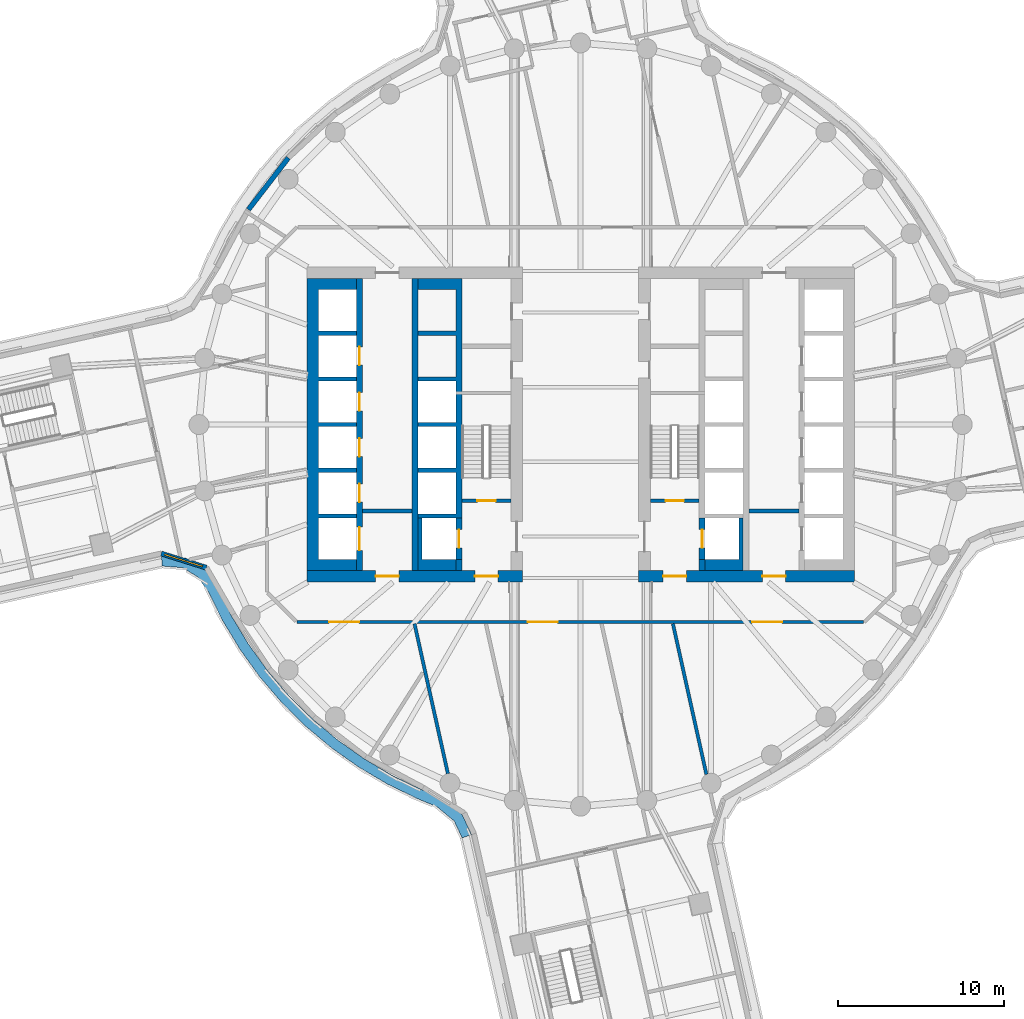
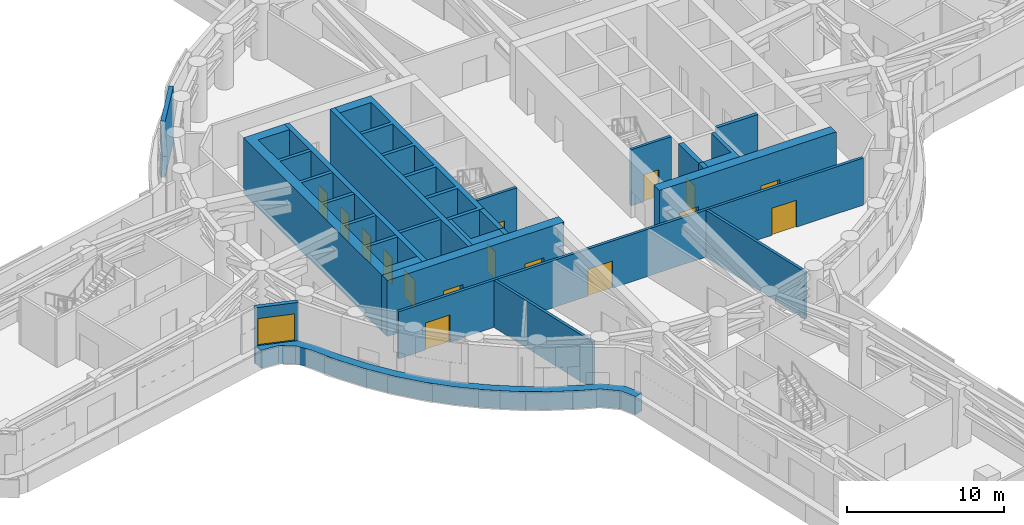
# One storey, part 9 of 22: 21 walls, 16 doors, 1 member, 1 window, 17 openings.
"""IFC4 building model written with IfcOpenShell, lengths in metres."""

from ifc_helpers import new_model, si_unit, direction, frame, frame_2d, origin, place, context, subcontext, project, spatial, polyline, rectangle, outline, extrude, material, layer, layer_set, type_object, element, fill, aggregate, save


model = new_model("IFC4")

# Units and contexts
model_context = context("Model", 3, precision=1e-05, world=origin(), true_north=direction((0.0, 1.0)))
body_context = subcontext(model_context, "Body", "Model", "MODEL_VIEW")
ifc_project = project(units=[si_unit("LENGTHUNIT", "METRE"), si_unit("AREAUNIT", "SQUARE_METRE"), si_unit("VOLUMEUNIT", "CUBIC_METRE"), si_unit("PLANEANGLEUNIT", "RADIAN"), si_unit("MASSUNIT", "GRAM", prefix="KILO")], contexts=[model_context])

# Member
ifc_material_1 = material(Name="Aluminium and insulated spandrel panel", Category="aluminium")
member_type = type_object("IfcMemberType", Name="Floor-edge blade transom", PredefinedType="USERDEFINED", material=ifc_material_1)
site_placement = place(None, origin())
building_placement = place(site_placement, origin())
storey_placement = place(building_placement, frame((0.0, 0.0, 79.0)))
member_placement = place(storey_placement, origin())
member = element("IfcMember", 1, at=member_placement, type_object=member_type, Name="CWT-L18-02", ObjectType="TRANSOM", PredefinedType="USERDEFINED", context=body_context, shape_type="SweptSolid", body=[
    extrude(outline(polyline([(-25.2578125, -7.92236328125), (-23.802978515625, -8.03955078125), (-22.65380859375, -8.73681640625), (-21.902587890625, -9.796142578125), (-21.054443359375, -11.511474609375), (-20.031982421875, -13.2109375), (-18.87255859375, -14.820068359375), (-17.584228515625, -16.327880859375), (-16.17578125, -17.72412109375), (-14.656982421875, -18.99951171875), (-13.0380859375, -20.14501953125), (-11.329833984375, -21.15283203125), (-9.54443359375, -22.01611328125), (-8.33203125, -22.52099609375), (-7.135009765625, -23.512451171875), (-6.567626953125, -24.71337890625), (-7.138671875, -24.9091796875), (-7.62060546875, -23.889404296875), (-8.645751953125, -23.04052734375), (-9.79052734375, -22.5634765625), (-11.613525390625, -21.68212890625), (-13.3642578125, -20.64892578125), (-15.023681640625, -19.474853515625), (-16.580810546875, -18.167724609375), (-18.0244140625, -16.736572265625), (-19.344970703125, -15.19091796875), (-20.533203125, -13.54150390625), (-21.581298828125, -11.799560546875), (-22.41943359375, -10.1044921875), (-23.0712890625, -9.185302734375), (-23.992919921875, -8.626220703125), (-25.21630859375, -8.527587890625), (-25.2578125, -7.92236328125)])), origin(), (0.0, 0.0, 1.0), 1.39990234375),
])

# Site, building, storey
site = spatial("IfcSite", under=ifc_project, at=site_placement, CompositionType="ELEMENT")
building = spatial("IfcBuilding", under=site, at=building_placement, Name="Tamarind Cross Interchange Tower", CompositionType="ELEMENT")
storey = spatial("IfcBuildingStorey", under=building, at=storey_placement, Name="L18", CompositionType="ELEMENT", Elevation=79.0)

# Wall, openings, doors
ifc_material_2 = material(Name="Concrete C80", Category="concrete")
ifc_layer_1 = layer(ifc_material_2, 0.699951171875)
ifc_layer_set_1 = layer_set([ifc_layer_1], Name="Concrete C80")
wall_type_1 = type_object("IfcWallType", Name="Core wall 700 mm Concrete C80", PredefinedType="SHEAR", material=ifc_layer_set_1)
wall_1_placement = place(storey_placement, frame((-16.5, -9.14990234375, 0.0), z_axis=(0.0, 0.0, 1.0), x_axis=(1.0, 0.0, 0.0)))
wall_1 = element("IfcWall", 2, at=wall_1_placement, inside=storey, type_object=wall_type_1, Name="Core wall CWL-L18-W-S", PredefinedType="SHEAR", context=body_context, shape_type="SweptSolid", body=[
    extrude(rectangle(XDim=13.0, YDim=0.699951171875, at=frame_2d((6.5, 0.0))), origin(), (0.0, 0.0, 1.0), 4.360107421875),
])
opening_1_placement = place(wall_1_placement, frame((4.14990234375, 0.0, 0.0)))
opening_1 = element("IfcOpeningElement", 3, at=opening_1_placement, cuts=wall_1, Name="Opening DCW1", PredefinedType="OPENING", context=body_context, shape_type="SweptSolid", body=[
    extrude(rectangle(XDim=1.39990234375, YDim=2.10009765625, at=frame_2d((0.699951171875, 1.050048828125))), frame((0.0, 0.35986328125, 0.0), z_axis=(0.0, -1.0, 0.0), x_axis=(1.0, 0.0, 0.0)), (0.0, 0.0, 1.0), 0.719970703125),
])
opening_2_placement = place(wall_1_placement, frame((10.125, 0.0, 0.0)))
opening_2 = element("IfcOpeningElement", 4, at=opening_2_placement, cuts=wall_1, Name="Opening DCWF", PredefinedType="OPENING", context=body_context, shape_type="SweptSolid", body=[
    extrude(rectangle(XDim=1.39990234375, YDim=2.10009765625, at=frame_2d((0.699951171875, 1.050048828125))), frame((0.0, 0.35986328125, 0.0), z_axis=(0.0, -1.0, 0.0), x_axis=(1.0, 0.0, 0.0)), (0.0, 0.0, 1.0), 0.719970703125),
])
ifc_material_3 = material(Name="Steel, fire-resisting", Category="steel")
door_type_1 = type_object("IfcDoorType", Name="Core fire door 1400 x 2100 FD90", OperationType="SINGLE_SWING_LEFT", PredefinedType="DOOR", material=ifc_material_3)
door_1_placement = place(opening_1_placement, origin())
door_1 = element("IfcDoor", 5, at=door_1_placement, inside=storey, type_object=door_type_1, Name="L18 lift lobby door", OperationType="SINGLE_SWING_LEFT", OverallHeight=2.10009765625, OverallWidth=1.39990234375, PredefinedType="DOOR", context=body_context, shape_type="SweptSolid", body=[
    extrude(rectangle(XDim=1.39990234375, YDim=2.10009765625, at=frame_2d((0.699951171875, 1.050048828125))), frame((0.0, 0.02490234375, 0.0), z_axis=(0.0, -1.0, 0.0), x_axis=(1.0, 0.0, 0.0)), (0.0, 0.0, 1.0), 0.050048828125),
])
fill(opening_1, door_1)
door_2_placement = place(opening_2_placement, origin())
door_2 = element("IfcDoor", 6, at=door_2_placement, inside=storey, type_object=door_type_1, Name="L18 firefighting lobby end door", OperationType="SINGLE_SWING_LEFT", OverallHeight=2.10009765625, OverallWidth=1.39990234375, PredefinedType="DOOR", context=body_context, shape_type="SweptSolid", body=[
    extrude(rectangle(XDim=1.39990234375, YDim=2.10009765625, at=frame_2d((0.699951171875, 1.050048828125))), frame((0.0, 0.02490234375, 0.0), z_axis=(0.0, -1.0, 0.0), x_axis=(1.0, 0.0, 0.0)), (0.0, 0.0, 1.0), 0.050048828125),
])
fill(opening_2, door_2)

# Wall
wall_2_placement = place(storey_placement, origin())
element("IfcWall", 7, at=wall_2_placement, inside=storey, type_object=wall_type_1, Name="Core wall CWL-L18-W-A", PredefinedType="SHEAR", context=body_context, shape_type="SweptSolid", body=[
    extrude(outline(polyline([(-13.5, -8.800048828125), (-13.5, -8.125), (-15.800048828125, -8.125), (-15.800048828125, -5.625), (-13.5, -5.625), (-13.5, -5.375), (-15.800048828125, -5.375), (-15.800048828125, -2.875), (-13.5, -2.875), (-13.5, -2.625), (-15.800048828125, -2.625), (-15.800048828125, -0.125), (-13.5, -0.125), (-13.5, 0.125), (-15.800048828125, 0.125), (-15.800048828125, 2.625), (-13.5, 2.625), (-13.5, 2.875), (-15.800048828125, 2.875), (-15.800048828125, 5.375), (-13.5, 5.375), (-13.5, 5.625), (-15.800048828125, 5.625), (-15.800048828125, 8.125), (-13.5, 8.125), (-13.5, 8.800048828125), (-15.800048828125, 8.800048828125), (-16.5, 8.800048828125), (-16.5, -8.800048828125), (-15.800048828125, -8.800048828125), (-13.5, -8.800048828125)])), origin(), (0.0, 0.0, 1.0), 4.360107421875),
])

# Wall, openings, doors
wall_3_placement = place(storey_placement, frame((16.5, -9.14990234375, 0.0), z_axis=(0.0, 0.0, 1.0), x_axis=(-1.0, 0.0, 0.0)))
wall_3 = element("IfcWall", 8, at=wall_3_placement, inside=storey, type_object=wall_type_1, Name="Core wall CWL-L18-E-S", PredefinedType="SHEAR", context=body_context, shape_type="SweptSolid", body=[
    extrude(rectangle(XDim=13.0, YDim=0.699951171875, at=frame_2d((6.5, 0.0))), origin(), (0.0, 0.0, 1.0), 4.360107421875),
])
opening_3_placement = place(wall_3_placement, frame((4.14990234375, 0.0, 0.0)))
opening_3 = element("IfcOpeningElement", 9, at=opening_3_placement, cuts=wall_3, Name="Opening DCE1", PredefinedType="OPENING", context=body_context, shape_type="SweptSolid", body=[
    extrude(rectangle(XDim=1.39990234375, YDim=2.10009765625, at=frame_2d((0.699951171875, 1.050048828125))), frame((0.0, 0.35986328125, 0.0), z_axis=(0.0, -1.0, 0.0), x_axis=(1.0, 0.0, 0.0)), (0.0, 0.0, 1.0), 0.719970703125),
])
opening_4_placement = place(wall_3_placement, frame((10.125, 0.0, 0.0)))
opening_4 = element("IfcOpeningElement", 10, at=opening_4_placement, cuts=wall_3, Name="Opening DCEF", PredefinedType="OPENING", context=body_context, shape_type="SweptSolid", body=[
    extrude(rectangle(XDim=1.39990234375, YDim=2.10009765625, at=frame_2d((0.699951171875, 1.050048828125))), frame((0.0, 0.35986328125, 0.0), z_axis=(0.0, -1.0, 0.0), x_axis=(1.0, 0.0, 0.0)), (0.0, 0.0, 1.0), 0.719970703125),
])
door_3_placement = place(opening_3_placement, origin())
door_3 = element("IfcDoor", 11, at=door_3_placement, inside=storey, type_object=door_type_1, Name="L18 lift lobby door", OperationType="SINGLE_SWING_LEFT", OverallHeight=2.10009765625, OverallWidth=1.39990234375, PredefinedType="DOOR", context=body_context, shape_type="SweptSolid", body=[
    extrude(rectangle(XDim=1.39990234375, YDim=2.10009765625, at=frame_2d((0.699951171875, 1.050048828125))), frame((0.0, 0.02490234375, 0.0), z_axis=(0.0, -1.0, 0.0), x_axis=(1.0, 0.0, 0.0)), (0.0, 0.0, 1.0), 0.050048828125),
])
fill(opening_3, door_3)
door_4_placement = place(opening_4_placement, origin())
door_4 = element("IfcDoor", 12, at=door_4_placement, inside=storey, type_object=door_type_1, Name="L18 firefighting lobby end door", OperationType="SINGLE_SWING_LEFT", OverallHeight=2.10009765625, OverallWidth=1.39990234375, PredefinedType="DOOR", context=body_context, shape_type="SweptSolid", body=[
    extrude(rectangle(XDim=1.39990234375, YDim=2.10009765625, at=frame_2d((0.699951171875, 1.050048828125))), frame((0.0, 0.02490234375, 0.0), z_axis=(0.0, -1.0, 0.0), x_axis=(1.0, 0.0, 0.0)), (0.0, 0.0, 1.0), 0.050048828125),
])
fill(opening_4, door_4)

# Walls
ifc_layer_2 = layer(ifc_material_2, 0.35009765625)
ifc_layer_set_2 = layer_set([ifc_layer_2], Name="Concrete C80")
wall_type_2 = type_object("IfcWallType", Name="Core web wall 350 mm Concrete C80", PredefinedType="SHEAR", material=ifc_layer_set_2)
wall_4_placement = place(storey_placement, origin())
element("IfcWall", 13, at=wall_4_placement, inside=storey, type_object=wall_type_2, Name="Core wall CWL-L18-W-BN", PredefinedType="SHEAR", context=body_context, shape_type="SweptSolid", body=[
    extrude(outline(polyline([(-9.800048828125, -5.375), (-9.800048828125, -5.625), (-7.5, -5.625), (-7.14990234375, -5.625), (-7.14990234375, 8.800048828125), (-7.5, 8.800048828125), (-9.800048828125, 8.800048828125), (-9.800048828125, 8.125), (-7.5, 8.125), (-7.5, 5.625), (-9.800048828125, 5.625), (-9.800048828125, 5.375), (-7.5, 5.375), (-7.5, 2.875), (-9.800048828125, 2.875), (-9.800048828125, 2.625), (-7.5, 2.625), (-7.5, 0.125), (-9.800048828125, 0.125), (-9.800048828125, -0.125), (-7.5, -0.125), (-7.5, -2.625), (-9.800048828125, -2.625), (-9.800048828125, -2.875), (-7.5, -2.875), (-7.5, -5.375), (-9.800048828125, -5.375)])), origin(), (0.0, 0.0, 1.0), 4.360107421875),
])
wall_5_placement = place(storey_placement, origin())
element("IfcWall", 14, at=wall_5_placement, inside=storey, type_object=wall_type_2, Name="Core wall CWL-L18-W-BS", PredefinedType="SHEAR", context=body_context, shape_type="SweptSolid", body=[
    extrude(outline(polyline([(-7.5, -8.125), (-9.550048828125, -8.125), (-9.550048828125, -5.625), (-9.800048828125, -5.625), (-9.800048828125, -8.125), (-9.800048828125, -8.800048828125), (-7.5, -8.800048828125), (-7.5, -8.125)])), origin(), (0.0, 0.0, 1.0), 4.360107421875),
])
wall_6_placement = place(storey_placement, frame((-7.324951171875, -8.800048828125, 0.0), z_axis=(0.0, 0.0, 1.0), x_axis=(0.0, 1.0, 0.0)))
element("IfcWall", 15, at=wall_6_placement, inside=storey, type_object=wall_type_2, Name="Core wall CWL-L18-W-BW", PredefinedType="SHEAR", context=body_context, shape_type="SweptSolid", body=[
    extrude(rectangle(XDim=0.675048828125, YDim=0.35009765625, at=frame_2d((0.33740234375, 0.0))), origin(), (0.0, 0.0, 1.0), 4.360107421875),
])

# Wall, openings, doors
wall_7_placement = place(storey_placement, frame((-13.324951171875, -8.800048828125, 0.0), z_axis=(0.0, 0.0, 1.0), x_axis=(0.0, 1.0, 0.0)))
wall_7 = element("IfcWall", 16, at=wall_7_placement, inside=storey, type_object=wall_type_2, Name="Core wall CWL-L18-W-LA", PredefinedType="SHEAR", context=body_context, shape_type="SweptSolid", body=[
    extrude(rectangle(XDim=17.60009765625, YDim=0.35009765625, at=frame_2d((8.800048828125, 0.0))), origin(), (0.0, 0.0, 1.0), 4.360107421875),
])
opening_5_placement = place(wall_7_placement, frame((1.22509765625, 0.0, 0.0)))
opening_5 = element("IfcOpeningElement", 17, at=opening_5_placement, cuts=wall_7, Name="Opening LD1L18", PredefinedType="OPENING", context=body_context, shape_type="SweptSolid", body=[
    extrude(rectangle(XDim=1.39990234375, YDim=2.10009765625, at=frame_2d((0.699951171875, 1.050048828125))), frame((0.0, 0.18505859375, 0.0), z_axis=(0.0, -1.0, 0.0), x_axis=(1.0, 0.0, 0.0)), (0.0, 0.0, 1.0), 0.3701171875),
])
opening_6_placement = place(wall_7_placement, frame((4.125, 0.0, 0.0)))
opening_6 = element("IfcOpeningElement", 18, at=opening_6_placement, cuts=wall_7, Name="Opening LD2L18", PredefinedType="OPENING", context=body_context, shape_type="SweptSolid", body=[
    extrude(rectangle(XDim=1.10009765625, YDim=2.10009765625, at=frame_2d((0.550048828125, 1.050048828125))), frame((0.0, 0.18505859375, 0.0), z_axis=(0.0, -1.0, 0.0), x_axis=(1.0, 0.0, 0.0)), (0.0, 0.0, 1.0), 0.3701171875),
])
opening_7_placement = place(wall_7_placement, frame((6.875, 0.0, 0.0)))
opening_7 = element("IfcOpeningElement", 19, at=opening_7_placement, cuts=wall_7, Name="Opening LD3L18", PredefinedType="OPENING", context=body_context, shape_type="SweptSolid", body=[
    extrude(rectangle(XDim=1.10009765625, YDim=2.10009765625, at=frame_2d((0.550048828125, 1.050048828125))), frame((0.0, 0.18505859375, 0.0), z_axis=(0.0, -1.0, 0.0), x_axis=(1.0, 0.0, 0.0)), (0.0, 0.0, 1.0), 0.3701171875),
])
opening_8_placement = place(wall_7_placement, frame((9.625, 0.0, 0.0)))
opening_8 = element("IfcOpeningElement", 20, at=opening_8_placement, cuts=wall_7, Name="Opening LD4L18", PredefinedType="OPENING", context=body_context, shape_type="SweptSolid", body=[
    extrude(rectangle(XDim=1.10009765625, YDim=2.10009765625, at=frame_2d((0.550048828125, 1.050048828125))), frame((0.0, 0.18505859375, 0.0), z_axis=(0.0, -1.0, 0.0), x_axis=(1.0, 0.0, 0.0)), (0.0, 0.0, 1.0), 0.3701171875),
])
opening_9_placement = place(wall_7_placement, frame((12.375, 0.0, 0.0)))
opening_9 = element("IfcOpeningElement", 21, at=opening_9_placement, cuts=wall_7, Name="Opening LD5L18", PredefinedType="OPENING", context=body_context, shape_type="SweptSolid", body=[
    extrude(rectangle(XDim=1.10009765625, YDim=2.10009765625, at=frame_2d((0.550048828125, 1.050048828125))), frame((0.0, 0.18505859375, 0.0), z_axis=(0.0, -1.0, 0.0), x_axis=(1.0, 0.0, 0.0)), (0.0, 0.0, 1.0), 0.3701171875),
])
ifc_material_4 = material(Name="Stainless steel panel", Category="steel")
door_type_2 = type_object("IfcDoorType", Name="Lift landing door 1100 x 2100 E 120", OperationType="SLIDING_TO_LEFT", PredefinedType="DOOR", material=ifc_material_4)
door_5_placement = place(opening_6_placement, origin())
door_5 = element("IfcDoor", 22, at=door_5_placement, inside=storey, type_object=door_type_2, Name="L18 landing door LF2", OperationType="SLIDING_TO_LEFT", OverallHeight=2.10009765625, OverallWidth=1.10009765625, PredefinedType="DOOR", context=body_context, shape_type="SweptSolid", body=[
    extrude(rectangle(XDim=1.10009765625, YDim=2.10009765625, at=frame_2d((0.550048828125, 1.050048828125))), frame((0.0, 0.02490234375, 0.0), z_axis=(0.0, -1.0, 0.0), x_axis=(1.0, 0.0, 0.0)), (0.0, 0.0, 1.0), 0.050048828125),
])
fill(opening_6, door_5)
door_6_placement = place(opening_7_placement, origin())
door_6 = element("IfcDoor", 23, at=door_6_placement, inside=storey, type_object=door_type_2, Name="L18 landing door LF3", OperationType="SLIDING_TO_LEFT", OverallHeight=2.10009765625, OverallWidth=1.10009765625, PredefinedType="DOOR", context=body_context, shape_type="SweptSolid", body=[
    extrude(rectangle(XDim=1.10009765625, YDim=2.10009765625, at=frame_2d((0.550048828125, 1.050048828125))), frame((0.0, 0.02490234375, 0.0), z_axis=(0.0, -1.0, 0.0), x_axis=(1.0, 0.0, 0.0)), (0.0, 0.0, 1.0), 0.050048828125),
])
fill(opening_7, door_6)
door_7_placement = place(opening_8_placement, origin())
door_7 = element("IfcDoor", 24, at=door_7_placement, inside=storey, type_object=door_type_2, Name="L18 landing door LF4", OperationType="SLIDING_TO_LEFT", OverallHeight=2.10009765625, OverallWidth=1.10009765625, PredefinedType="DOOR", context=body_context, shape_type="SweptSolid", body=[
    extrude(rectangle(XDim=1.10009765625, YDim=2.10009765625, at=frame_2d((0.550048828125, 1.050048828125))), frame((0.0, 0.02490234375, 0.0), z_axis=(0.0, -1.0, 0.0), x_axis=(1.0, 0.0, 0.0)), (0.0, 0.0, 1.0), 0.050048828125),
])
fill(opening_8, door_7)
door_8_placement = place(opening_9_placement, origin())
door_8 = element("IfcDoor", 25, at=door_8_placement, inside=storey, type_object=door_type_2, Name="L18 landing door LF5", OperationType="SLIDING_TO_LEFT", OverallHeight=2.10009765625, OverallWidth=1.10009765625, PredefinedType="DOOR", context=body_context, shape_type="SweptSolid", body=[
    extrude(rectangle(XDim=1.10009765625, YDim=2.10009765625, at=frame_2d((0.550048828125, 1.050048828125))), frame((0.0, 0.02490234375, 0.0), z_axis=(0.0, -1.0, 0.0), x_axis=(1.0, 0.0, 0.0)), (0.0, 0.0, 1.0), 0.050048828125),
])
fill(opening_9, door_8)
door_type_3 = type_object("IfcDoorType", Name="Lift landing door 1400 x 2100 E 120", OperationType="SLIDING_TO_LEFT", PredefinedType="DOOR", material=ifc_material_4)
door_9_placement = place(opening_5_placement, origin())
door_9 = element("IfcDoor", 26, at=door_9_placement, inside=storey, type_object=door_type_3, Name="L18 landing door LF1", OperationType="SLIDING_TO_LEFT", OverallHeight=2.10009765625, OverallWidth=1.39990234375, PredefinedType="DOOR", context=body_context, shape_type="SweptSolid", body=[
    extrude(rectangle(XDim=1.39990234375, YDim=2.10009765625, at=frame_2d((0.699951171875, 1.050048828125))), frame((0.0, 0.02490234375, 0.0), z_axis=(0.0, -1.0, 0.0), x_axis=(1.0, 0.0, 0.0)), (0.0, 0.0, 1.0), 0.050048828125),
])
fill(opening_5, door_9)

# Wall
wall_8_placement = place(storey_placement, frame((-9.97509765625, -8.800048828125, 0.0), z_axis=(0.0, 0.0, 1.0), x_axis=(0.0, 1.0, 0.0)))
element("IfcWall", 27, at=wall_8_placement, inside=storey, type_object=wall_type_2, Name="Core wall CWL-L18-W-LB", PredefinedType="SHEAR", context=body_context, shape_type="SweptSolid", body=[
    extrude(rectangle(XDim=17.60009765625, YDim=0.35009765625, at=frame_2d((8.800048828125, 0.0))), origin(), (0.0, 0.0, 1.0), 4.360107421875),
])

# Wall, opening, door
wall_9_placement = place(storey_placement, frame((-7.324951171875, -8.125, 0.0), z_axis=(0.0, 0.0, 1.0), x_axis=(0.0, 1.0, 0.0)))
wall_9 = element("IfcWall", 28, at=wall_9_placement, inside=storey, type_object=wall_type_2, Name="Core wall CWL-L18-W-FF", PredefinedType="SHEAR", context=body_context, shape_type="SweptSolid", body=[
    extrude(rectangle(XDim=2.5, YDim=0.35009765625, at=frame_2d((1.25, 0.0))), origin(), (0.0, 0.0, 1.0), 4.360107421875),
])
opening_10_placement = place(wall_9_placement, frame((0.699951171875, 0.0, 0.0)))
opening_10 = element("IfcOpeningElement", 29, at=opening_10_placement, cuts=wall_9, Name="Opening LD7L18", PredefinedType="OPENING", context=body_context, shape_type="SweptSolid", body=[
    extrude(rectangle(XDim=1.10009765625, YDim=2.10009765625, at=frame_2d((0.550048828125, 1.050048828125))), frame((0.0, 0.18505859375, 0.0), z_axis=(0.0, -1.0, 0.0), x_axis=(1.0, 0.0, 0.0)), (0.0, 0.0, 1.0), 0.3701171875),
])
door_10_placement = place(opening_10_placement, origin())
door_10 = element("IfcDoor", 30, at=door_10_placement, inside=storey, type_object=door_type_2, Name="L18 landing door LF7", OperationType="SLIDING_TO_LEFT", OverallHeight=2.10009765625, OverallWidth=1.10009765625, PredefinedType="DOOR", context=body_context, shape_type="SweptSolid", body=[
    extrude(rectangle(XDim=1.10009765625, YDim=2.10009765625, at=frame_2d((0.550048828125, 1.050048828125))), frame((0.0, 0.02490234375, 0.0), z_axis=(0.0, -1.0, 0.0), x_axis=(1.0, 0.0, 0.0)), (0.0, 0.0, 1.0), 0.050048828125),
])
fill(opening_10, door_10)

# Walls
wall_10_placement = place(storey_placement, origin())
element("IfcWall", 31, at=wall_10_placement, inside=storey, type_object=wall_type_2, Name="Core wall CWL-L18-E-BS", PredefinedType="SHEAR", context=body_context, shape_type="SweptSolid", body=[
    extrude(outline(polyline([(7.5, -8.125), (7.5, -8.800048828125), (9.800048828125, -8.800048828125), (9.800048828125, -8.125), (9.800048828125, -5.625), (9.550048828125, -5.625), (9.550048828125, -8.125), (7.5, -8.125)])), origin(), (0.0, 0.0, 1.0), 4.360107421875),
])
wall_11_placement = place(storey_placement, frame((7.324951171875, -8.800048828125, 0.0), z_axis=(0.0, 0.0, 1.0), x_axis=(0.0, 1.0, 0.0)))
element("IfcWall", 32, at=wall_11_placement, inside=storey, type_object=wall_type_2, Name="Core wall CWL-L18-E-BW", PredefinedType="SHEAR", context=body_context, shape_type="SweptSolid", body=[
    extrude(rectangle(XDim=0.675048828125, YDim=0.35009765625, at=frame_2d((0.33740234375, 0.0))), origin(), (0.0, 0.0, 1.0), 4.360107421875),
])

# Wall, opening, door
wall_12_placement = place(storey_placement, frame((7.324951171875, -8.125, 0.0), z_axis=(0.0, 0.0, 1.0), x_axis=(0.0, 1.0, 0.0)))
wall_12 = element("IfcWall", 33, at=wall_12_placement, inside=storey, type_object=wall_type_2, Name="Core wall CWL-L18-E-FF", PredefinedType="SHEAR", context=body_context, shape_type="SweptSolid", body=[
    extrude(rectangle(XDim=2.5, YDim=0.35009765625, at=frame_2d((1.25, 0.0))), origin(), (0.0, 0.0, 1.0), 4.360107421875),
])
opening_11_placement = place(wall_12_placement, frame((0.699951171875, 0.0, 0.0)))
opening_11 = element("IfcOpeningElement", 34, at=opening_11_placement, cuts=wall_12, Name="Opening LD19L18", PredefinedType="OPENING", context=body_context, shape_type="SweptSolid", body=[
    extrude(rectangle(XDim=1.10009765625, YDim=2.10009765625, at=frame_2d((0.550048828125, 1.050048828125))), frame((0.0, 0.18505859375, 0.0), z_axis=(0.0, -1.0, 0.0), x_axis=(1.0, 0.0, 0.0)), (0.0, 0.0, 1.0), 0.3701171875),
])
door_11_placement = place(opening_11_placement, origin())
door_11 = element("IfcDoor", 35, at=door_11_placement, inside=storey, type_object=door_type_2, Name="L18 landing door LF19", OperationType="SLIDING_TO_LEFT", OverallHeight=2.10009765625, OverallWidth=1.10009765625, PredefinedType="DOOR", context=body_context, shape_type="SweptSolid", body=[
    extrude(rectangle(XDim=1.10009765625, YDim=2.10009765625, at=frame_2d((0.550048828125, 1.050048828125))), frame((0.0, 0.02490234375, 0.0), z_axis=(0.0, -1.0, 0.0), x_axis=(1.0, 0.0, 0.0)), (0.0, 0.0, 1.0), 0.050048828125),
])
fill(opening_11, door_11)

# Walls
ifc_material_5 = material(Name="Gypsum board partition on steel studs", Category="steel")
ifc_layer_3 = layer(ifc_material_5, 0.199951171875)
ifc_layer_set_3 = layer_set([ifc_layer_3], Name="Gypsum board partition on steel studs")
wall_type_3 = type_object("IfcWallType", Name="Partition 200 mm EI 180", PredefinedType="PARTITIONING", material=ifc_layer_set_3)
wall_13_placement = place(storey_placement, frame((-10.00927734375, -12.00244140625, 0.0), z_axis=(0.0, 0.0, 1.0), x_axis=(0.217240415782, -0.976118128994, 0.0)))
element("IfcWall", 36, at=wall_13_placement, inside=storey, type_object=wall_type_3, Name="Partition L18-004", PredefinedType="PARTITIONING", context=body_context, shape_type="SweptSolid", body=[
    extrude(rectangle(XDim=9.257080078125, YDim=0.199951171875, at=frame_2d((4.62841796875, 0.0))), origin(), (0.0, 0.0, 1.0), 3.659912109375),
])
wall_14_placement = place(storey_placement, frame((5.562744140625, -12.00244140625, 0.0), z_axis=(0.0, 0.0, 1.0), x_axis=(0.217055556544, -0.976159252055, 0.0)))
element("IfcWall", 37, at=wall_14_placement, inside=storey, type_object=wall_type_3, Name="Partition L18-023", PredefinedType="PARTITIONING", context=body_context, shape_type="SweptSolid", body=[
    extrude(rectangle(XDim=9.298583984375, YDim=0.199951171875, at=frame_2d((4.6494140625, 0.0))), origin(), (0.0, 0.0, 1.0), 3.659912109375),
])

# Wall, openings, doors
wall_15_placement = place(storey_placement, frame((-17.10009765625, -11.89990234375, 0.0), z_axis=(0.0, 0.0, 1.0), x_axis=(1.0, 0.0, 0.0)))
wall_15 = element("IfcWall", 38, at=wall_15_placement, inside=storey, type_object=wall_type_3, Name="Partition L18-034", PredefinedType="PARTITIONING", context=body_context, shape_type="SweptSolid", body=[
    extrude(rectangle(XDim=34.14501953125, YDim=0.199951171875, at=frame_2d((17.072509765625, 0.0))), origin(), (0.0, 0.0, 1.0), 3.659912109375),
])
opening_12_placement = place(wall_15_placement, frame((13.9208984375, 0.0, 0.0)))
opening_12 = element("IfcOpeningElement", 39, at=opening_12_placement, cuts=wall_15, Name="Opening D18", PredefinedType="OPENING", context=body_context, shape_type="SweptSolid", body=[
    extrude(rectangle(XDim=1.800048828125, YDim=2.10009765625, at=frame_2d((0.89990234375, 1.050048828125))), frame((0.0, 0.10986328125, 0.0), z_axis=(0.0, -1.0, 0.0), x_axis=(1.0, 0.0, 0.0)), (0.0, 0.0, 1.0), 0.219970703125),
])
opening_13_placement = place(wall_15_placement, frame((1.949951171875, 0.0, 0.0)))
opening_13 = element("IfcOpeningElement", 40, at=opening_13_placement, cuts=wall_15, Name="Opening D19", PredefinedType="OPENING", context=body_context, shape_type="SweptSolid", body=[
    extrude(rectangle(XDim=1.800048828125, YDim=2.10009765625, at=frame_2d((0.89990234375, 1.050048828125))), frame((0.0, 0.10986328125, 0.0), z_axis=(0.0, -1.0, 0.0), x_axis=(1.0, 0.0, 0.0)), (0.0, 0.0, 1.0), 0.219970703125),
])
opening_14_placement = place(wall_15_placement, frame((27.43994140625, 0.0, 0.0)))
opening_14 = element("IfcOpeningElement", 41, at=opening_14_placement, cuts=wall_15, Name="Opening D20", PredefinedType="OPENING", context=body_context, shape_type="SweptSolid", body=[
    extrude(rectangle(XDim=1.800048828125, YDim=2.10009765625, at=frame_2d((0.89990234375, 1.050048828125))), frame((0.0, 0.10986328125, 0.0), z_axis=(0.0, -1.0, 0.0), x_axis=(1.0, 0.0, 0.0)), (0.0, 0.0, 1.0), 0.219970703125),
])
ifc_material_6 = material(Name="Fire-resisting door set")
door_type_4 = type_object("IfcDoorType", Name="Interior door 1800 x 2100 FD120S", OperationType="DOUBLE_DOOR_SINGLE_SWING", PredefinedType="DOOR", material=ifc_material_6)
door_12_placement = place(opening_12_placement, origin())
door_12 = element("IfcDoor", 42, at=door_12_placement, inside=storey, type_object=door_type_4, Name="Door D18", OperationType="DOUBLE_DOOR_SINGLE_SWING", OverallHeight=2.10009765625, OverallWidth=1.800048828125, PredefinedType="DOOR", context=body_context, shape_type="SweptSolid", body=[
    extrude(rectangle(XDim=1.800048828125, YDim=2.10009765625, at=frame_2d((0.89990234375, 1.050048828125))), frame((0.0, 0.02490234375, 0.0), z_axis=(0.0, -1.0, 0.0), x_axis=(1.0, 0.0, 0.0)), (0.0, 0.0, 1.0), 0.050048828125),
])
fill(opening_12, door_12)
door_13_placement = place(opening_13_placement, frame((1.800048828125, 0.0, 0.0), z_axis=(0.0, 0.0, 1.0), x_axis=(-1.0, 0.0, 0.0)))
door_13 = element("IfcDoor", 43, at=door_13_placement, inside=storey, type_object=door_type_4, Name="Door D19", OperationType="DOUBLE_DOOR_SINGLE_SWING", OverallHeight=2.10009765625, OverallWidth=1.800048828125, PredefinedType="DOOR", context=body_context, shape_type="SweptSolid", body=[
    extrude(rectangle(XDim=1.800048828125, YDim=2.10009765625, at=frame_2d((0.89990234375, 1.050048828125))), frame((0.0, 0.02490234375, 0.0), z_axis=(0.0, -1.0, 0.0), x_axis=(1.0, 0.0, 0.0)), (0.0, 0.0, 1.0), 0.050048828125),
])
fill(opening_13, door_13)
door_14_placement = place(opening_14_placement, frame((1.800048828125, 0.0, 0.0), z_axis=(0.0, 0.0, 1.0), x_axis=(-1.0, 0.0, 0.0)))
door_14 = element("IfcDoor", 44, at=door_14_placement, inside=storey, type_object=door_type_4, Name="Door D20", OperationType="DOUBLE_DOOR_SINGLE_SWING", OverallHeight=2.10009765625, OverallWidth=1.800048828125, PredefinedType="DOOR", context=body_context, shape_type="SweptSolid", body=[
    extrude(rectangle(XDim=1.800048828125, YDim=2.10009765625, at=frame_2d((0.89990234375, 1.050048828125))), frame((0.0, 0.02490234375, 0.0), z_axis=(0.0, -1.0, 0.0), x_axis=(1.0, 0.0, 0.0)), (0.0, 0.0, 1.0), 0.050048828125),
])
fill(opening_14, door_14)

# Wall, opening, window
ifc_material_7 = material(Name="Precast concrete C40", Category="concrete")
ifc_layer_4 = layer(ifc_material_7, 0.300048828125)
ifc_layer_set_4 = layer_set([ifc_layer_4], Name="Precast concrete C40")
wall_type_4 = type_object("IfcWallType", Name="Plant louvre wall", PredefinedType="SOLIDWALL", material=ifc_layer_set_4)
wall_16_placement = place(storey_placement, frame((-25.268310546875, -7.77099609375, 0.0), z_axis=(0.0, 0.0, 1.0), x_axis=(0.954072095572, -0.299577096006, 0.0)))
wall_16 = element("IfcWall", 45, at=wall_16_placement, inside=storey, type_object=wall_type_4, Name="EXW-L18-02-00", PredefinedType="SOLIDWALL", context=body_context, shape_type="SweptSolid", body=[
    extrude(rectangle(XDim=2.849853515625, YDim=0.300048828125, at=frame_2d((1.4248046875, 0.0))), origin(), (0.0, 0.0, 1.0), 4.360107421875),
])
opening_15_placement = place(wall_16_placement, frame((0.199951171875, 0.0, 1.39990234375)))
opening_15 = element("IfcOpeningElement", 46, at=opening_15_placement, cuts=wall_16, Name="Opening W3", PredefinedType="OPENING", context=body_context, shape_type="SweptSolid", body=[
    extrude(rectangle(XDim=2.39990234375, YDim=2.10009765625, at=frame_2d((1.199951171875, 1.050048828125))), frame((0.0, 0.159912109375, 0.0), z_axis=(0.0, -1.0, 0.0), x_axis=(1.0, 0.0, 0.0)), (0.0, 0.0, 1.0), 0.320068359375),
])
ifc_material_8 = material(Name="Aluminium and fire-resisting glass", Category="aluminium")
window_type = type_object("IfcWindowType", Name="Refuge rescue window", PartitioningType="DOUBLE_PANEL_VERTICAL", PredefinedType="WINDOW", material=ifc_material_8)
window_placement = place(opening_15_placement, origin())
window = element("IfcWindow", 47, at=window_placement, inside=storey, type_object=window_type, Name="RSW-L18-02-08", OverallHeight=2.10009765625, OverallWidth=2.39990234375, PartitioningType="SINGLE_PANEL", PredefinedType="WINDOW", context=body_context, shape_type="SweptSolid", body=[
    extrude(rectangle(XDim=2.39990234375, YDim=2.10009765625, at=frame_2d((1.199951171875, 1.050048828125))), frame((0.0, 0.030029296875, 0.0), z_axis=(0.0, -1.0, 0.0), x_axis=(1.0, 0.0, 0.0)), (0.0, 0.0, 1.0), 0.06005859375),
])
fill(opening_15, window)

aggregate(wall_16, [member])

# Walls
wall_17_placement = place(storey_placement, frame((-17.61328125, 16.07470703125, 0.0), z_axis=(0.0, 0.0, 1.0), x_axis=(-0.610785688376, -0.79179596038, 0.0)))
element("IfcWall", 48, at=wall_17_placement, inside=storey, type_object=wall_type_4, Name="EXW-L18-14-04", PredefinedType="SOLIDWALL", context=body_context, shape_type="SweptSolid", body=[
    extrude(rectangle(XDim=3.9384765625, YDim=0.300048828125, at=frame_2d((1.96923828125, 0.0))), origin(), (0.0, 0.0, 1.0), 4.360107421875),
])
ifc_material_9 = material(Name="Concrete C40", Category="concrete")
ifc_layer_5 = layer(ifc_material_9, 0.25)
ifc_layer_set_5 = layer_set([ifc_layer_5], Name="Concrete C40")
wall_type_5 = type_object("IfcWallType", Name="Shaft and lobby wall 250 mm Concrete C40", PredefinedType="PARTITIONING", material=ifc_layer_set_5)
for number, where, z_axis, x_axis, name in (
    (49, (-13.14990234375, -5.199951171875, 0.0), (0.0, 0.0, 1.0), (1.0, 0.0, 0.0), "Shaft wall CWL-L18-W-EVP"),
    (50, (13.14990234375, -5.199951171875, 0.0), (0.0, 0.0, 1.0), (-1.0, 0.0, 0.0), "Shaft wall CWL-L18-E-EVP"),
):
    element("IfcWall", number, at=place(storey_placement, frame(where, z_axis=z_axis, x_axis=x_axis)), inside=storey, type_object=wall_type_5, Name=name, PredefinedType="PARTITIONING", context=body_context, shape_type="SweptSolid", body=[
        extrude(rectangle(XDim=3.0, YDim=0.25, at=frame_2d((1.5, 0.0))), origin(), (0.0, 0.0, 1.0), 4.360107421875),
    ])

# Wall, opening, door
ifc_layer_6 = layer(ifc_material_9, 0.199951171875)
ifc_layer_set_6 = layer_set([ifc_layer_6], Name="Concrete C40")
wall_type_6 = type_object("IfcWallType", Name="Stair shaft wall 200 mm Concrete C40", PredefinedType="SHEAR", material=ifc_layer_set_6)
wall_18_placement = place(storey_placement, frame((-7.14990234375, -4.60009765625, 0.0), z_axis=(0.0, 0.0, 1.0), x_axis=(1.0, 0.0, 0.0)))
wall_18 = element("IfcWall", 51, at=wall_18_placement, inside=storey, type_object=wall_type_6, Name="Core wall CWL-L18-W-SD", PredefinedType="SHEAR", context=body_context, shape_type="SweptSolid", body=[
    extrude(rectangle(XDim=2.949951171875, YDim=0.199951171875, at=frame_2d((1.47509765625, 0.0))), origin(), (0.0, 0.0, 1.0), 4.360107421875),
])
opening_16_placement = place(wall_18_placement, frame((0.925048828125, 0.0, 0.0)))
opening_16 = element("IfcOpeningElement", 52, at=opening_16_placement, cuts=wall_18, Name="Opening DCW6", PredefinedType="OPENING", context=body_context, shape_type="SweptSolid", body=[
    extrude(rectangle(XDim=1.10009765625, YDim=2.10009765625, at=frame_2d((0.550048828125, 1.050048828125))), frame((0.0, 0.10986328125, 0.0), z_axis=(0.0, -1.0, 0.0), x_axis=(1.0, 0.0, 0.0)), (0.0, 0.0, 1.0), 0.219970703125),
])
door_type_5 = type_object("IfcDoorType", Name="Core fire door 1100 x 2100 FD90", OperationType="SINGLE_SWING_LEFT", PredefinedType="DOOR", material=ifc_material_3)
door_15_placement = place(opening_16_placement, origin())
door_15 = element("IfcDoor", 53, at=door_15_placement, inside=storey, type_object=door_type_5, Name="L18 stair door", OperationType="SINGLE_SWING_LEFT", OverallHeight=2.10009765625, OverallWidth=1.10009765625, PredefinedType="DOOR", context=body_context, shape_type="SweptSolid", body=[
    extrude(rectangle(XDim=1.10009765625, YDim=2.10009765625, at=frame_2d((0.550048828125, 1.050048828125))), frame((0.0, 0.02490234375, 0.0), z_axis=(0.0, -1.0, 0.0), x_axis=(1.0, 0.0, 0.0)), (0.0, 0.0, 1.0), 0.050048828125),
])
fill(opening_16, door_15)

wall_19_placement = place(storey_placement, frame((7.14990234375, -4.60009765625, 0.0), z_axis=(0.0, 0.0, 1.0), x_axis=(-1.0, 0.0, 0.0)))
wall_19 = element("IfcWall", 54, at=wall_19_placement, inside=storey, type_object=wall_type_6, Name="Core wall CWL-L18-E-SD", PredefinedType="SHEAR", context=body_context, shape_type="SweptSolid", body=[
    extrude(rectangle(XDim=2.949951171875, YDim=0.199951171875, at=frame_2d((1.47509765625, 0.0))), origin(), (0.0, 0.0, 1.0), 4.360107421875),
])
opening_17_placement = place(wall_19_placement, frame((0.925048828125, 0.0, 0.0)))
opening_17 = element("IfcOpeningElement", 55, at=opening_17_placement, cuts=wall_19, Name="Opening DCE6", PredefinedType="OPENING", context=body_context, shape_type="SweptSolid", body=[
    extrude(rectangle(XDim=1.10009765625, YDim=2.10009765625, at=frame_2d((0.550048828125, 1.050048828125))), frame((0.0, 0.10986328125, 0.0), z_axis=(0.0, -1.0, 0.0), x_axis=(1.0, 0.0, 0.0)), (0.0, 0.0, 1.0), 0.219970703125),
])
door_16_placement = place(opening_17_placement, origin())
door_16 = element("IfcDoor", 56, at=door_16_placement, inside=storey, type_object=door_type_5, Name="L18 stair door", OperationType="SINGLE_SWING_LEFT", OverallHeight=2.10009765625, OverallWidth=1.10009765625, PredefinedType="DOOR", context=body_context, shape_type="SweptSolid", body=[
    extrude(rectangle(XDim=1.10009765625, YDim=2.10009765625, at=frame_2d((0.550048828125, 1.050048828125))), frame((0.0, 0.02490234375, 0.0), z_axis=(0.0, -1.0, 0.0), x_axis=(1.0, 0.0, 0.0)), (0.0, 0.0, 1.0), 0.050048828125),
])
fill(opening_17, door_16)

save(model, "model.ifc")
